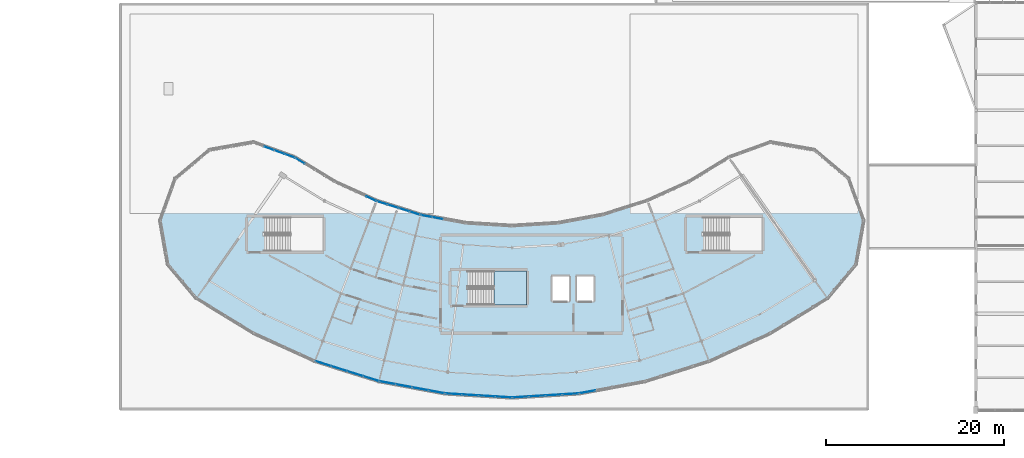
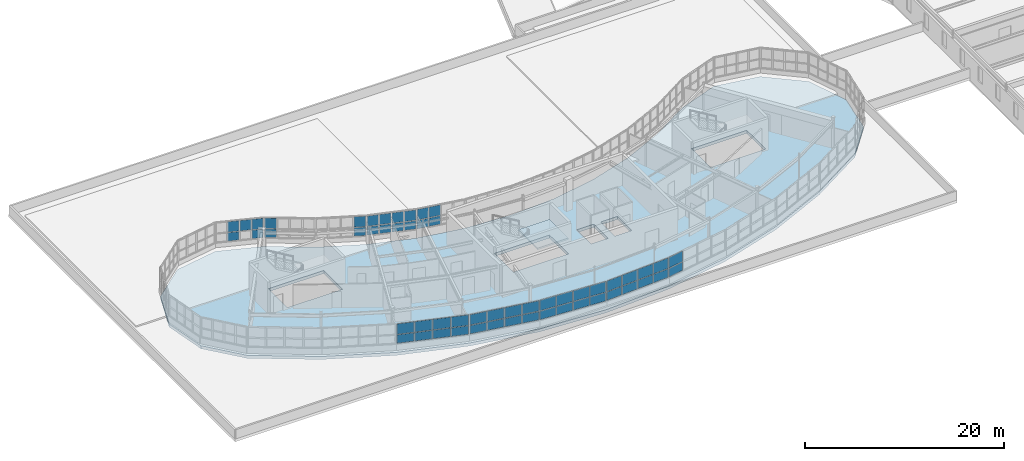
# One storey, part 68 of 128: 55 plates, 2 slabs, 11 elements without a shape of their own.
"""IFC4 building model written with IfcOpenShell, lengths in metres."""

from ifc_helpers import new_model, si_unit, direction, frame, origin, origin_2d, place, context, subcontext, project, spatial, polyline, rectangle, outline, extrude, material, layer, layer_set, type_object, element, aggregate, save


model = new_model("IFC4")

# Units and contexts
model_context = context("Model", 3, precision=1e-05, world=origin(), true_north=direction((0.0, 1.0)))
body_context = subcontext(model_context, "Body", "Model", "MODEL_VIEW")
ifc_project = project(units=[si_unit("LENGTHUNIT", "METRE"), si_unit("AREAUNIT", "SQUARE_METRE"), si_unit("VOLUMEUNIT", "CUBIC_METRE"), si_unit("PLANEANGLEUNIT", "RADIAN"), si_unit("MASSUNIT", "GRAM", prefix="KILO")], contexts=[model_context])

# Site, building, storey
site_placement = place(None, origin())
site = spatial("IfcSite", under=ifc_project, at=site_placement, CompositionType="ELEMENT")
building_placement = place(site_placement, origin())
building = spatial("IfcBuilding", under=site, at=building_placement, Name="Tarnwether General Hospital", CompositionType="ELEMENT")
storey_placement = place(building_placement, frame((0.0, 0.0, 14.39990234375)))
storey = spatial("IfcBuildingStorey", under=building, at=storey_placement, Name="L03", CompositionType="ELEMENT", Elevation=14.39990234375)

# Curtain wall, plates
ifc_material_1 = material(Name="Anodised aluminium", Category="aluminium")
ifc_layer_1 = layer(ifc_material_1, 0.179931640625)
ifc_layer_set_1 = layer_set([ifc_layer_1], Name="Anodised aluminium")
curtain_wall_type_1 = type_object("IfcCurtainWallType", Name="CW-08", PredefinedType="NOTDEFINED", material=ifc_layer_set_1)
curtain_wall_1_placement = place(storey_placement, origin())
curtain_wall_1 = element("IfcCurtainWall", 1, at=curtain_wall_1_placement, inside=storey, type_object=curtain_wall_type_1, Name="Curtain Wall CWG-L03-771_32-0156", PredefinedType="NOTDEFINED")
ifc_material_2 = material(Name="Double glazed low-E glass", Category="glass")
ifc_layer_2 = layer(ifc_material_2, 0.028076171875)
ifc_layer_set_2 = layer_set([ifc_layer_2], Name="Double glazed low-E glass")
plate_type_1 = type_object("IfcPlateType", Name="PT-CWP1", PredefinedType="CURTAIN_PANEL", material=ifc_layer_set_2)
plate_1_placement = place(storey_placement, frame((76.185791015625, 3.517578125, 1.115234375), z_axis=(0.0, 0.0, 1.0), x_axis=(-0.953741284032, 0.300628613299, 0.0)))
plate_1 = element("IfcPlate", 2, at=plate_1_placement, type_object=plate_type_1, Name="CW-08 panel 1.1", PredefinedType="CURTAIN_PANEL", context=body_context, shape_type="SweptSolid", body=[
    extrude(rectangle(XDim=1.78271484375, YDim=0.028076171875, at=origin_2d()), origin(), (0.0, 0.0, 1.0), 1.031982421875),
])
plate_2_placement = place(storey_placement, frame((76.185791015625, 3.517578125, 2.2119140625), z_axis=(0.0, 0.0, 1.0), x_axis=(-0.953741284032, 0.300628613299, 0.0)))
plate_2 = element("IfcPlate", 3, at=plate_2_placement, type_object=plate_type_1, Name="CW-08 panel 1.2", PredefinedType="CURTAIN_PANEL", context=body_context, shape_type="SweptSolid", body=[
    extrude(rectangle(XDim=1.78271484375, YDim=0.028076171875, at=origin_2d()), origin(), (0.0, 0.0, 1.0), 1.282958984375),
])
plate_3_placement = place(storey_placement, frame((74.408203125, 4.077880859375, 1.115234375), z_axis=(0.0, 0.0, 1.0), x_axis=(-0.953741284032, 0.300628613299, 0.0)))
plate_3 = element("IfcPlate", 4, at=plate_3_placement, type_object=plate_type_1, Name="CW-08 panel 2.1", PredefinedType="CURTAIN_PANEL", context=body_context, shape_type="SweptSolid", body=[
    extrude(rectangle(XDim=1.815185546875, YDim=0.028076171875, at=origin_2d()), origin(), (0.0, 0.0, 1.0), 1.031982421875),
])
plate_4_placement = place(storey_placement, frame((74.408203125, 4.077880859375, 2.2119140625), z_axis=(0.0, 0.0, 1.0), x_axis=(-0.953741284032, 0.300628613299, 0.0)))
plate_4 = element("IfcPlate", 5, at=plate_4_placement, type_object=plate_type_1, Name="CW-08 panel 2.2", PredefinedType="CURTAIN_PANEL", context=body_context, shape_type="SweptSolid", body=[
    extrude(rectangle(XDim=1.815185546875, YDim=0.028076171875, at=origin_2d()), origin(), (0.0, 0.0, 1.0), 1.282958984375),
])
plate_5_placement = place(storey_placement, frame((72.614990234375, 4.64306640625, 1.115234375), z_axis=(0.0, 0.0, 1.0), x_axis=(-0.953741284032, 0.300628613299, 0.0)))
plate_5 = element("IfcPlate", 6, at=plate_5_placement, type_object=plate_type_1, Name="CW-08 panel 3.1", PredefinedType="CURTAIN_PANEL", context=body_context, shape_type="SweptSolid", body=[
    extrude(rectangle(XDim=1.815185546875, YDim=0.028076171875, at=origin_2d()), origin(), (0.0, 0.0, 1.0), 1.031982421875),
])
plate_6_placement = place(storey_placement, frame((72.614990234375, 4.64306640625, 2.2119140625), z_axis=(0.0, 0.0, 1.0), x_axis=(-0.953741284032, 0.300628613299, 0.0)))
plate_6 = element("IfcPlate", 7, at=plate_6_placement, type_object=plate_type_1, Name="CW-08 panel 3.2", PredefinedType="CURTAIN_PANEL", context=body_context, shape_type="SweptSolid", body=[
    extrude(rectangle(XDim=1.815185546875, YDim=0.028076171875, at=origin_2d()), origin(), (0.0, 0.0, 1.0), 1.282958984375),
])
plate_7_placement = place(storey_placement, frame((70.837158203125, 5.203369140625, 1.115234375), z_axis=(0.0, 0.0, 1.0), x_axis=(-0.953741284032, 0.300628613299, 0.0)))
plate_7 = element("IfcPlate", 8, at=plate_7_placement, type_object=plate_type_1, Name="CW-08 panel 4.1", PredefinedType="CURTAIN_PANEL", context=body_context, shape_type="SweptSolid", body=[
    extrude(rectangle(XDim=1.78271484375, YDim=0.028076171875, at=origin_2d()), origin(), (0.0, 0.0, 1.0), 1.031982421875),
])
plate_8_placement = place(storey_placement, frame((70.837158203125, 5.203369140625, 2.2119140625), z_axis=(0.0, 0.0, 1.0), x_axis=(-0.953741284032, 0.300628613299, 0.0)))
plate_8 = element("IfcPlate", 9, at=plate_8_placement, type_object=plate_type_1, Name="CW-08 panel 4.2", PredefinedType="CURTAIN_PANEL", context=body_context, shape_type="SweptSolid", body=[
    extrude(rectangle(XDim=1.78271484375, YDim=0.028076171875, at=origin_2d()), origin(), (0.0, 0.0, 1.0), 1.282958984375),
])
aggregate(curtain_wall_1, [plate_1, plate_2, plate_3, plate_4, plate_5, plate_6, plate_7, plate_8])

curtain_wall_2_placement = place(storey_placement, origin())
curtain_wall_2 = element("IfcCurtainWall", 10, at=curtain_wall_2_placement, inside=storey, type_object=curtain_wall_type_1, Name="Curtain Wall CWG-L03-920_14-0158", PredefinedType="NOTDEFINED")
plate_9_placement = place(storey_placement, frame((91.046630859375, 1.458251953125, 1.110107421875), z_axis=(0.0, 0.0, 1.0), x_axis=(-0.998135995608, 0.061028962567, 0.0)))
plate_9 = element("IfcPlate", 11, at=plate_9_placement, type_object=plate_type_1, Name="CW-08 panel 1.1", PredefinedType="CURTAIN_PANEL", context=body_context, shape_type="SweptSolid", body=[
    extrude(rectangle(XDim=1.790283203125, YDim=0.028076171875, at=origin_2d()), origin(), (0.0, 0.0, 1.0), 1.03955078125),
])
plate_10_placement = place(storey_placement, frame((91.046630859375, 1.458251953125, 2.20947265625), z_axis=(0.0, 0.0, 1.0), x_axis=(-0.998135995608, 0.061028962567, 0.0)))
plate_10 = element("IfcPlate", 12, at=plate_10_placement, type_object=plate_type_1, Name="CW-08 panel 1.2", PredefinedType="CURTAIN_PANEL", context=body_context, shape_type="SweptSolid", body=[
    extrude(rectangle(XDim=1.790283203125, YDim=0.028076171875, at=origin_2d()), origin(), (0.0, 0.0, 1.0), 1.29052734375),
])
plate_11_placement = place(storey_placement, frame((89.184814453125, 1.572021484375, 1.110107421875), z_axis=(0.0, 0.0, 1.0), x_axis=(-0.998135995608, 0.061028962567, 0.0)))
plate_11 = element("IfcPlate", 13, at=plate_11_placement, type_object=plate_type_1, Name="CW-08 panel 2.1", PredefinedType="CURTAIN_PANEL", context=body_context, shape_type="SweptSolid", body=[
    extrude(rectangle(XDim=1.8203125, YDim=0.028076171875, at=origin_2d()), origin(), (0.0, 0.0, 1.0), 1.03955078125),
])
plate_12_placement = place(storey_placement, frame((89.184814453125, 1.572021484375, 2.20947265625), z_axis=(0.0, 0.0, 1.0), x_axis=(-0.998135995608, 0.061028962567, 0.0)))
plate_12 = element("IfcPlate", 14, at=plate_12_placement, type_object=plate_type_1, Name="CW-08 panel 2.2", PredefinedType="CURTAIN_PANEL", context=body_context, shape_type="SweptSolid", body=[
    extrude(rectangle(XDim=1.8203125, YDim=0.028076171875, at=origin_2d()), origin(), (0.0, 0.0, 1.0), 1.29052734375),
])
plate_13_placement = place(storey_placement, frame((87.30810546875, 1.686767578125, 1.110107421875), z_axis=(0.0, 0.0, 1.0), x_axis=(-0.998135995608, 0.061028962567, 0.0)))
plate_13 = element("IfcPlate", 15, at=plate_13_placement, type_object=plate_type_1, Name="CW-08 panel 3.1", PredefinedType="CURTAIN_PANEL", context=body_context, shape_type="SweptSolid", body=[
    extrude(rectangle(XDim=1.8203125, YDim=0.028076171875, at=origin_2d()), origin(), (0.0, 0.0, 1.0), 1.03955078125),
])
plate_14_placement = place(storey_placement, frame((87.30810546875, 1.686767578125, 2.20947265625), z_axis=(0.0, 0.0, 1.0), x_axis=(-0.998135995608, 0.061028962567, 0.0)))
plate_14 = element("IfcPlate", 16, at=plate_14_placement, type_object=plate_type_1, Name="CW-08 panel 3.2", PredefinedType="CURTAIN_PANEL", context=body_context, shape_type="SweptSolid", body=[
    extrude(rectangle(XDim=1.8203125, YDim=0.028076171875, at=origin_2d()), origin(), (0.0, 0.0, 1.0), 1.29052734375),
])
plate_15_placement = place(storey_placement, frame((85.4462890625, 1.80078125, 1.110107421875), z_axis=(0.0, 0.0, 1.0), x_axis=(-0.998135995608, 0.061028962567, 0.0)))
plate_15 = element("IfcPlate", 17, at=plate_15_placement, type_object=plate_type_1, Name="CW-08 panel 4.1", PredefinedType="CURTAIN_PANEL", context=body_context, shape_type="SweptSolid", body=[
    extrude(rectangle(XDim=1.790283203125, YDim=0.028076171875, at=origin_2d()), origin(), (0.0, 0.0, 1.0), 1.03955078125),
])
plate_16_placement = place(storey_placement, frame((85.4462890625, 1.80078125, 2.20947265625), z_axis=(0.0, 0.0, 1.0), x_axis=(-0.998135995608, 0.061028962567, 0.0)))
plate_16 = element("IfcPlate", 18, at=plate_16_placement, type_object=plate_type_1, Name="CW-08 panel 4.2", PredefinedType="CURTAIN_PANEL", context=body_context, shape_type="SweptSolid", body=[
    extrude(rectangle(XDim=1.790283203125, YDim=0.028076171875, at=origin_2d()), origin(), (0.0, 0.0, 1.0), 1.29052734375),
])
aggregate(curtain_wall_2, [plate_9, plate_10, plate_11, plate_12, plate_13, plate_14, plate_15, plate_16])

curtain_wall_3_placement = place(storey_placement, origin())
curtain_wall_3 = element("IfcCurtainWall", 19, at=curtain_wall_3_placement, inside=storey, type_object=curtain_wall_type_1, Name="Curtain Wall CWG-L03-995_19-0159", PredefinedType="NOTDEFINED")
plate_17_placement = place(storey_placement, frame((98.55126953125, 1.800537109375, 1.1201171875), z_axis=(0.0, 0.0, 1.0), x_axis=(-0.998135995608, -0.061028962567, 0.0)))
plate_17 = element("IfcPlate", 20, at=plate_17_placement, type_object=plate_type_1, Name="CW-08 panel 1.1", PredefinedType="CURTAIN_PANEL", context=body_context, shape_type="SweptSolid", body=[
    extrude(rectangle(XDim=1.775146484375, YDim=0.028076171875, at=origin_2d()), origin(), (0.0, 0.0, 1.0), 1.0244140625),
])
plate_18_placement = place(storey_placement, frame((98.55126953125, 1.800537109375, 2.214599609375), z_axis=(0.0, 0.0, 1.0), x_axis=(-0.998135995608, -0.061028962567, 0.0)))
plate_18 = element("IfcPlate", 21, at=plate_18_placement, type_object=plate_type_1, Name="CW-08 panel 1.2", PredefinedType="CURTAIN_PANEL", context=body_context, shape_type="SweptSolid", body=[
    extrude(rectangle(XDim=1.775146484375, YDim=0.028076171875, at=origin_2d()), origin(), (0.0, 0.0, 1.0), 1.275390625),
])
plate_19_placement = place(storey_placement, frame((96.69189453125, 1.686767578125, 1.1201171875), z_axis=(0.0, 0.0, 1.0), x_axis=(-0.998135995608, -0.061028962567, 0.0)))
plate_19 = element("IfcPlate", 22, at=plate_19_placement, type_object=plate_type_1, Name="CW-08 panel 2.1", PredefinedType="CURTAIN_PANEL", context=body_context, shape_type="SweptSolid", body=[
    extrude(rectangle(XDim=1.810302734375, YDim=0.028076171875, at=origin_2d()), origin(), (0.0, 0.0, 1.0), 1.0244140625),
])
plate_20_placement = place(storey_placement, frame((96.69189453125, 1.686767578125, 2.214599609375), z_axis=(0.0, 0.0, 1.0), x_axis=(-0.998135995608, -0.061028962567, 0.0)))
plate_20 = element("IfcPlate", 23, at=plate_20_placement, type_object=plate_type_1, Name="CW-08 panel 2.2", PredefinedType="CURTAIN_PANEL", context=body_context, shape_type="SweptSolid", body=[
    extrude(rectangle(XDim=1.810302734375, YDim=0.028076171875, at=origin_2d()), origin(), (0.0, 0.0, 1.0), 1.275390625),
])
plate_21_placement = place(storey_placement, frame((94.815185546875, 1.572021484375, 1.1201171875), z_axis=(0.0, 0.0, 1.0), x_axis=(-0.998135995608, -0.061028962567, 0.0)))
plate_21 = element("IfcPlate", 24, at=plate_21_placement, type_object=plate_type_1, Name="CW-08 panel 3.1", PredefinedType="CURTAIN_PANEL", context=body_context, shape_type="SweptSolid", body=[
    extrude(rectangle(XDim=1.810302734375, YDim=0.028076171875, at=origin_2d()), origin(), (0.0, 0.0, 1.0), 1.0244140625),
])
plate_22_placement = place(storey_placement, frame((94.815185546875, 1.572021484375, 2.214599609375), z_axis=(0.0, 0.0, 1.0), x_axis=(-0.998135995608, -0.061028962567, 0.0)))
plate_22 = element("IfcPlate", 25, at=plate_22_placement, type_object=plate_type_1, Name="CW-08 panel 3.2", PredefinedType="CURTAIN_PANEL", context=body_context, shape_type="SweptSolid", body=[
    extrude(rectangle(XDim=1.810302734375, YDim=0.028076171875, at=origin_2d()), origin(), (0.0, 0.0, 1.0), 1.275390625),
])
plate_23_placement = place(storey_placement, frame((92.955810546875, 1.45849609375, 1.1201171875), z_axis=(0.0, 0.0, 1.0), x_axis=(-0.998135995608, -0.061028962567, 0.0)))
plate_23 = element("IfcPlate", 26, at=plate_23_placement, type_object=plate_type_1, Name="CW-08 panel 4.1", PredefinedType="CURTAIN_PANEL", context=body_context, shape_type="SweptSolid", body=[
    extrude(rectangle(XDim=1.775146484375, YDim=0.028076171875, at=origin_2d()), origin(), (0.0, 0.0, 1.0), 1.0244140625),
])
plate_24_placement = place(storey_placement, frame((92.955810546875, 1.45849609375, 2.214599609375), z_axis=(0.0, 0.0, 1.0), x_axis=(-0.998135995608, -0.061028962567, 0.0)))
plate_24 = element("IfcPlate", 27, at=plate_24_placement, type_object=plate_type_1, Name="CW-08 panel 4.2", PredefinedType="CURTAIN_PANEL", context=body_context, shape_type="SweptSolid", body=[
    extrude(rectangle(XDim=1.775146484375, YDim=0.028076171875, at=origin_2d()), origin(), (0.0, 0.0, 1.0), 1.275390625),
])
aggregate(curtain_wall_3, [plate_17, plate_18, plate_19, plate_20, plate_21, plate_22, plate_23, plate_24])

ifc_material_3 = material(Name="Anodised aluminium", Category="aluminium")
ifc_layer_3 = layer(ifc_material_3, 0.159912109375)
ifc_layer_set_3 = layer_set([ifc_layer_3], Name="Anodised aluminium")
curtain_wall_type_2 = type_object("IfcCurtainWallType", Name="CW-04", PredefinedType="NOTDEFINED", material=ifc_layer_set_3)
curtain_wall_4_placement = place(storey_placement, origin())
curtain_wall_4 = element("IfcCurtainWall", 28, at=curtain_wall_4_placement, inside=storey, type_object=curtain_wall_type_2, Name="Curtain Wall CWG-L03-817_219-0176", PredefinedType="NOTDEFINED")
plate_25_placement = place(storey_placement, frame((82.395263671875, 21.73828125, 1.115234375), z_axis=(0.0, 0.0, 1.0), x_axis=(0.983267910924, -0.182165351666, 0.0)))
plate_25 = element("IfcPlate", 29, at=plate_25_placement, type_object=plate_type_1, Name="CW-04 panel 1.1", PredefinedType="CURTAIN_PANEL", context=body_context, shape_type="SweptSolid", body=[
    extrude(rectangle(XDim=1.196533203125, YDim=0.028076171875, at=origin_2d()), origin(), (0.0, 0.0, 1.0), 1.031982421875),
])
plate_26_placement = place(storey_placement, frame((82.395263671875, 21.73828125, 2.2119140625), z_axis=(0.0, 0.0, 1.0), x_axis=(0.983267910924, -0.182165351666, 0.0)))
plate_26 = element("IfcPlate", 30, at=plate_26_placement, type_object=plate_type_1, Name="CW-04 panel 1.2", PredefinedType="CURTAIN_PANEL", context=body_context, shape_type="SweptSolid", body=[
    extrude(rectangle(XDim=1.196533203125, YDim=0.028076171875, at=origin_2d()), origin(), (0.0, 0.0, 1.0), 1.282958984375),
])
plate_27_placement = place(storey_placement, frame((83.65185546875, 21.50537109375, 1.115234375), z_axis=(0.0, 0.0, 1.0), x_axis=(0.983267910924, -0.182165351666, 0.0)))
plate_27 = element("IfcPlate", 31, at=plate_27_placement, type_object=plate_type_1, Name="CW-04 panel 2.1", PredefinedType="CURTAIN_PANEL", context=body_context, shape_type="SweptSolid", body=[
    extrude(rectangle(XDim=1.229248046875, YDim=0.028076171875, at=origin_2d()), origin(), (0.0, 0.0, 1.0), 1.031982421875),
])
plate_28_placement = place(storey_placement, frame((83.65185546875, 21.50537109375, 2.2119140625), z_axis=(0.0, 0.0, 1.0), x_axis=(0.983267910924, -0.182165351666, 0.0)))
plate_28 = element("IfcPlate", 32, at=plate_28_placement, type_object=plate_type_1, Name="CW-04 panel 2.2", PredefinedType="CURTAIN_PANEL", context=body_context, shape_type="SweptSolid", body=[
    extrude(rectangle(XDim=1.229248046875, YDim=0.028076171875, at=origin_2d()), origin(), (0.0, 0.0, 1.0), 1.282958984375),
])
aggregate(curtain_wall_4, [plate_25, plate_26, plate_27, plate_28])

curtain_wall_5_placement = place(storey_placement, origin())
curtain_wall_5 = element("IfcCurtainWall", 33, at=curtain_wall_5_placement, inside=storey, type_object=curtain_wall_type_2, Name="Curtain Wall CWG-L03-768_234-0177", PredefinedType="NOTDEFINED")
plate_29_placement = place(storey_placement, frame((77.44140625, 23.21533203125, 1.1298828125), z_axis=(0.0, 0.0, 1.0), x_axis=(0.953713927508, -0.30071538783, 0.0)))
plate_29 = element("IfcPlate", 34, at=plate_29_placement, type_object=plate_type_1, Name="CW-04 panel 1.1", PredefinedType="CURTAIN_PANEL", context=body_context, shape_type="SweptSolid", body=[
    extrude(rectangle(XDim=1.17431640625, YDim=0.028076171875, at=origin_2d()), origin(), (0.0, 0.0, 1.0), 1.009521484375),
])
plate_30_placement = place(storey_placement, frame((77.44140625, 23.21533203125, 2.2197265625), z_axis=(0.0, 0.0, 1.0), x_axis=(0.953713927508, -0.30071538783, 0.0)))
plate_30 = element("IfcPlate", 35, at=plate_30_placement, type_object=plate_type_1, Name="CW-04 panel 1.2", PredefinedType="CURTAIN_PANEL", context=body_context, shape_type="SweptSolid", body=[
    extrude(rectangle(XDim=1.17431640625, YDim=0.028076171875, at=origin_2d()), origin(), (0.0, 0.0, 1.0), 1.260498046875),
])
plate_31_placement = place(storey_placement, frame((78.65673828125, 22.83203125, 1.1298828125), z_axis=(0.0, 0.0, 1.0), x_axis=(0.953713927508, -0.30071538783, 0.0)))
plate_31 = element("IfcPlate", 36, at=plate_31_placement, type_object=plate_type_1, Name="CW-04 panel 2.1", PredefinedType="CURTAIN_PANEL", context=body_context, shape_type="SweptSolid", body=[
    extrude(rectangle(XDim=1.21435546875, YDim=0.028076171875, at=origin_2d()), origin(), (0.0, 0.0, 1.0), 1.009521484375),
])
plate_32_placement = place(storey_placement, frame((78.65673828125, 22.83203125, 2.2197265625), z_axis=(0.0, 0.0, 1.0), x_axis=(0.953713927508, -0.30071538783, 0.0)))
plate_32 = element("IfcPlate", 37, at=plate_32_placement, type_object=plate_type_1, Name="CW-04 panel 2.2", PredefinedType="CURTAIN_PANEL", context=body_context, shape_type="SweptSolid", body=[
    extrude(rectangle(XDim=1.21435546875, YDim=0.028076171875, at=origin_2d()), origin(), (0.0, 0.0, 1.0), 1.260498046875),
])
plate_33_placement = place(storey_placement, frame((79.891357421875, 22.44287109375, 1.1298828125), z_axis=(0.0, 0.0, 1.0), x_axis=(0.953713927508, -0.30071538783, 0.0)))
plate_33 = element("IfcPlate", 38, at=plate_33_placement, type_object=plate_type_1, Name="CW-04 panel 3.1", PredefinedType="CURTAIN_PANEL", context=body_context, shape_type="SweptSolid", body=[
    extrude(rectangle(XDim=1.21435546875, YDim=0.028076171875, at=origin_2d()), origin(), (0.0, 0.0, 1.0), 1.009521484375),
])
plate_34_placement = place(storey_placement, frame((79.891357421875, 22.44287109375, 2.2197265625), z_axis=(0.0, 0.0, 1.0), x_axis=(0.953713927508, -0.30071538783, 0.0)))
plate_34 = element("IfcPlate", 39, at=plate_34_placement, type_object=plate_type_1, Name="CW-04 panel 3.2", PredefinedType="CURTAIN_PANEL", context=body_context, shape_type="SweptSolid", body=[
    extrude(rectangle(XDim=1.21435546875, YDim=0.028076171875, at=origin_2d()), origin(), (0.0, 0.0, 1.0), 1.260498046875),
])
plate_35_placement = place(storey_placement, frame((81.106689453125, 22.0595703125, 1.1298828125), z_axis=(0.0, 0.0, 1.0), x_axis=(0.953713927508, -0.30071538783, 0.0)))
plate_35 = element("IfcPlate", 40, at=plate_35_placement, type_object=plate_type_1, Name="CW-04 panel 4.1", PredefinedType="CURTAIN_PANEL", context=body_context, shape_type="SweptSolid", body=[
    extrude(rectangle(XDim=1.17431640625, YDim=0.028076171875, at=origin_2d()), origin(), (0.0, 0.0, 1.0), 1.009521484375),
])
plate_36_placement = place(storey_placement, frame((81.106689453125, 22.0595703125, 2.2197265625), z_axis=(0.0, 0.0, 1.0), x_axis=(0.953713927508, -0.30071538783, 0.0)))
plate_36 = element("IfcPlate", 41, at=plate_36_placement, type_object=plate_type_1, Name="CW-04 panel 4.2", PredefinedType="CURTAIN_PANEL", context=body_context, shape_type="SweptSolid", body=[
    extrude(rectangle(XDim=1.17431640625, YDim=0.028076171875, at=origin_2d()), origin(), (0.0, 0.0, 1.0), 1.260498046875),
])
aggregate(curtain_wall_5, [plate_29, plate_30, plate_31, plate_32, plate_33, plate_34, plate_35, plate_36])

curtain_wall_6_placement = place(storey_placement, origin())
curtain_wall_6 = element("IfcCurtainWall", 42, at=curtain_wall_6_placement, inside=storey, type_object=curtain_wall_type_2, Name="Curtain Wall CWG-L03-677_283-0179", PredefinedType="NOTDEFINED")
plate_37_placement = place(storey_placement, frame((68.24658203125, 27.920654296875, 1.1201171875), z_axis=(0.0, 0.0, 1.0), x_axis=(0.852631789198, -0.522512231483, 0.0)))
plate_37 = element("IfcPlate", 43, at=plate_37_placement, type_object=plate_type_1, Name="CW-04 panel 1.1", PredefinedType="CURTAIN_PANEL", context=body_context, shape_type="SweptSolid", body=[
    extrude(rectangle(XDim=1.189208984375, YDim=0.028076171875, at=origin_2d()), origin(), (0.0, 0.0, 1.0), 1.0244140625),
])
plate_38_placement = place(storey_placement, frame((68.24658203125, 27.920654296875, 2.214599609375), z_axis=(0.0, 0.0, 1.0), x_axis=(0.852631789198, -0.522512231483, 0.0)))
plate_38 = element("IfcPlate", 44, at=plate_38_placement, type_object=plate_type_1, Name="CW-04 panel 1.2", PredefinedType="CURTAIN_PANEL", context=body_context, shape_type="SweptSolid", body=[
    extrude(rectangle(XDim=1.189208984375, YDim=0.028076171875, at=origin_2d()), origin(), (0.0, 0.0, 1.0), 1.275390625),
])
aggregate(curtain_wall_6, [plate_37, plate_38])

curtain_wall_7_placement = place(storey_placement, origin())
curtain_wall_7 = element("IfcCurtainWall", 45, at=curtain_wall_7_placement, inside=storey, type_object=curtain_wall_type_2, Name="Curtain Wall CWG-L03-630_300-0180", PredefinedType="NOTDEFINED")
plate_39_placement = place(storey_placement, frame((64.761962890625, 29.33056640625, 1.115234375), z_axis=(0.0, 0.0, 1.0), x_axis=(0.939652319163, -0.342130850834, 0.0)))
plate_39 = element("IfcPlate", 46, at=plate_39_placement, type_object=plate_type_1, Name="CW-04 panel 2.1", PredefinedType="CURTAIN_PANEL", context=body_context, shape_type="SweptSolid", body=[
    extrude(rectangle(XDim=1.17724609375, YDim=0.028076171875, at=origin_2d()), origin(), (0.0, 0.0, 1.0), 1.031982421875),
])
plate_40_placement = place(storey_placement, frame((64.761962890625, 29.33056640625, 2.2119140625), z_axis=(0.0, 0.0, 1.0), x_axis=(0.939652319163, -0.342130850834, 0.0)))
plate_40 = element("IfcPlate", 47, at=plate_40_placement, type_object=plate_type_1, Name="CW-04 panel 2.2", PredefinedType="CURTAIN_PANEL", context=body_context, shape_type="SweptSolid", body=[
    extrude(rectangle(XDim=1.17724609375, YDim=0.028076171875, at=origin_2d()), origin(), (0.0, 0.0, 1.0), 1.282958984375),
])
plate_41_placement = place(storey_placement, frame((65.92919921875, 28.905517578125, 2.2119140625), z_axis=(0.0, 0.0, 1.0), x_axis=(0.939652319163, -0.342130850834, 0.0)))
plate_41 = element("IfcPlate", 48, at=plate_41_placement, type_object=plate_type_1, Name="CW-04 panel 3.2", PredefinedType="CURTAIN_PANEL", context=body_context, shape_type="SweptSolid", body=[
    extrude(rectangle(XDim=1.17724609375, YDim=0.028076171875, at=origin_2d()), origin(), (0.0, 0.0, 1.0), 1.282958984375),
])
plate_42_placement = place(storey_placement, frame((67.0810546875, 28.486083984375, 1.115234375), z_axis=(0.0, 0.0, 1.0), x_axis=(0.939652319163, -0.342130850834, 0.0)))
plate_42 = element("IfcPlate", 49, at=plate_42_placement, type_object=plate_type_1, Name="CW-04 panel 4.1", PredefinedType="CURTAIN_PANEL", context=body_context, shape_type="SweptSolid", body=[
    extrude(rectangle(XDim=1.144775390625, YDim=0.028076171875, at=origin_2d()), origin(), (0.0, 0.0, 1.0), 1.031982421875),
])
plate_43_placement = place(storey_placement, frame((67.0810546875, 28.486083984375, 2.2119140625), z_axis=(0.0, 0.0, 1.0), x_axis=(0.939652319163, -0.342130850834, 0.0)))
plate_43 = element("IfcPlate", 50, at=plate_43_placement, type_object=plate_type_1, Name="CW-04 panel 4.2", PredefinedType="CURTAIN_PANEL", context=body_context, shape_type="SweptSolid", body=[
    extrude(rectangle(XDim=1.144775390625, YDim=0.028076171875, at=origin_2d()), origin(), (0.0, 0.0, 1.0), 1.282958984375),
])
aggregate(curtain_wall_7, [plate_39, plate_40, plate_41, plate_42, plate_43])

curtain_wall_8_placement = place(storey_placement, origin())
curtain_wall_8 = element("IfcCurtainWall", 51, at=curtain_wall_8_placement, inside=storey, type_object=curtain_wall_type_1, Name="Curtain Wall CWG-L03-845_19-0157", PredefinedType="NOTDEFINED")
ifc_material_4 = material(Name="Double glazed low-E glass", Category="glass")
ifc_layer_4 = layer(ifc_material_4, 0.035888671875)
ifc_layer_set_4 = layer_set([ifc_layer_4], Name="Double glazed low-E glass")
plate_type_2 = type_object("IfcPlateType", Name="PT-CWP2", PredefinedType="CURTAIN_PANEL", material=ifc_layer_set_4)
plate_44_placement = place(storey_placement, frame((83.549072265625, 2.033935546875, 1.1298828125), z_axis=(0.0, 0.0, 1.0), x_axis=(-0.983244953132, 0.182289226614, 0.0)))
plate_44 = element("IfcPlate", 52, at=plate_44_placement, type_object=plate_type_2, Name="CW-08 panel 1.1", PredefinedType="CURTAIN_PANEL", context=body_context, shape_type="SweptSolid", body=[
    extrude(rectangle(XDim=1.76025390625, YDim=0.035888671875, at=origin_2d()), origin(), (0.0, 0.0, 1.0), 1.009521484375),
])
plate_45_placement = place(storey_placement, frame((83.549072265625, 2.033935546875, 2.2197265625), z_axis=(0.0, 0.0, 1.0), x_axis=(-0.983244953132, 0.182289226614, 0.0)))
plate_45 = element("IfcPlate", 53, at=plate_45_placement, type_object=plate_type_2, Name="CW-08 panel 1.2", PredefinedType="CURTAIN_PANEL", context=body_context, shape_type="SweptSolid", body=[
    extrude(rectangle(XDim=1.76025390625, YDim=0.035888671875, at=origin_2d()), origin(), (0.0, 0.0, 1.0), 1.260498046875),
])
plate_46_placement = place(storey_placement, frame((81.719970703125, 2.373046875, 1.1298828125), z_axis=(0.0, 0.0, 1.0), x_axis=(-0.983244953132, 0.182289226614, 0.0)))
plate_46 = element("IfcPlate", 54, at=plate_46_placement, type_object=plate_type_2, Name="CW-08 panel 2.1", PredefinedType="CURTAIN_PANEL", context=body_context, shape_type="SweptSolid", body=[
    extrude(rectangle(XDim=1.80029296875, YDim=0.035888671875, at=origin_2d()), origin(), (0.0, 0.0, 1.0), 1.009521484375),
])
plate_47_placement = place(storey_placement, frame((81.719970703125, 2.373046875, 2.2197265625), z_axis=(0.0, 0.0, 1.0), x_axis=(-0.983244953132, 0.182289226614, 0.0)))
plate_47 = element("IfcPlate", 55, at=plate_47_placement, type_object=plate_type_2, Name="CW-08 panel 2.2", PredefinedType="CURTAIN_PANEL", context=body_context, shape_type="SweptSolid", body=[
    extrude(rectangle(XDim=1.80029296875, YDim=0.035888671875, at=origin_2d()), origin(), (0.0, 0.0, 1.0), 1.260498046875),
])
plate_48_placement = place(storey_placement, frame((79.87109375, 2.7158203125, 1.1298828125), z_axis=(0.0, 0.0, 1.0), x_axis=(-0.983244953132, 0.182289226614, 0.0)))
plate_48 = element("IfcPlate", 56, at=plate_48_placement, type_object=plate_type_2, Name="CW-08 panel 3.1", PredefinedType="CURTAIN_PANEL", context=body_context, shape_type="SweptSolid", body=[
    extrude(rectangle(XDim=1.80029296875, YDim=0.035888671875, at=origin_2d()), origin(), (0.0, 0.0, 1.0), 1.009521484375),
])
plate_49_placement = place(storey_placement, frame((79.87109375, 2.7158203125, 2.2197265625), z_axis=(0.0, 0.0, 1.0), x_axis=(-0.983244953132, 0.182289226614, 0.0)))
plate_49 = element("IfcPlate", 57, at=plate_49_placement, type_object=plate_type_2, Name="CW-08 panel 3.2", PredefinedType="CURTAIN_PANEL", context=body_context, shape_type="SweptSolid", body=[
    extrude(rectangle(XDim=1.80029296875, YDim=0.035888671875, at=origin_2d()), origin(), (0.0, 0.0, 1.0), 1.260498046875),
])
plate_50_placement = place(storey_placement, frame((78.0419921875, 3.054931640625, 1.1298828125), z_axis=(0.0, 0.0, 1.0), x_axis=(-0.983244953132, 0.182289226614, 0.0)))
plate_50 = element("IfcPlate", 58, at=plate_50_placement, type_object=plate_type_2, Name="CW-08 panel 4.1", PredefinedType="CURTAIN_PANEL", context=body_context, shape_type="SweptSolid", body=[
    extrude(rectangle(XDim=1.76025390625, YDim=0.035888671875, at=origin_2d()), origin(), (0.0, 0.0, 1.0), 1.009521484375),
])
plate_51_placement = place(storey_placement, frame((78.0419921875, 3.054931640625, 2.2197265625), z_axis=(0.0, 0.0, 1.0), x_axis=(-0.983244953132, 0.182289226614, 0.0)))
plate_51 = element("IfcPlate", 59, at=plate_51_placement, type_object=plate_type_2, Name="CW-08 panel 4.2", PredefinedType="CURTAIN_PANEL", context=body_context, shape_type="SweptSolid", body=[
    extrude(rectangle(XDim=1.76025390625, YDim=0.035888671875, at=origin_2d()), origin(), (0.0, 0.0, 1.0), 1.260498046875),
])
aggregate(curtain_wall_8, [plate_44, plate_45, plate_46, plate_47, plate_48, plate_49, plate_50, plate_51])

curtain_wall_9_placement = place(storey_placement, origin())
curtain_wall_9 = element("IfcCurtainWall", 60, at=curtain_wall_9_placement, inside=storey, type_object=curtain_wall_type_1, Name="Curtain Wall CWG-L03-1069_32-0160", PredefinedType="NOTDEFINED")
plate_52_placement = place(storey_placement, frame((100.447265625, 2.033447265625, 1.115234375), z_axis=(0.0, 0.0, 1.0), x_axis=(-0.983244953132, -0.182289226614, 0.0)))
plate_52 = element("IfcPlate", 61, at=plate_52_placement, type_object=plate_type_2, Name="CW-08 panel 4.1", PredefinedType="CURTAIN_PANEL", context=body_context, shape_type="SweptSolid", body=[
    extrude(rectangle(XDim=1.78271484375, YDim=0.035888671875, at=origin_2d()), origin(), (0.0, 0.0, 1.0), 1.031982421875),
])
plate_53_placement = place(storey_placement, frame((100.447265625, 2.033447265625, 2.2119140625), z_axis=(0.0, 0.0, 1.0), x_axis=(-0.983244953132, -0.182289226614, 0.0)))
plate_53 = element("IfcPlate", 62, at=plate_53_placement, type_object=plate_type_2, Name="CW-08 panel 4.2", PredefinedType="CURTAIN_PANEL", context=body_context, shape_type="SweptSolid", body=[
    extrude(rectangle(XDim=1.78271484375, YDim=0.035888671875, at=origin_2d()), origin(), (0.0, 0.0, 1.0), 1.282958984375),
])
aggregate(curtain_wall_9, [plate_52, plate_53])

curtain_wall_10_placement = place(storey_placement, origin())
curtain_wall_10 = element("IfcCurtainWall", 63, at=curtain_wall_10_placement, inside=storey, type_object=curtain_wall_type_2, Name="Curtain Wall CWG-L03-721_256-0178", PredefinedType="NOTDEFINED")
plate_54_placement = place(storey_placement, frame((76.202392578125, 23.690673828125, 1.110107421875), z_axis=(0.0, 0.0, 1.0), x_axis=(0.90995590549, -0.41470501572, 0.0)))
plate_54 = element("IfcPlate", 64, at=plate_54_placement, type_object=plate_type_2, Name="CW-04 panel 4.1", PredefinedType="CURTAIN_PANEL", context=body_context, shape_type="SweptSolid", body=[
    extrude(rectangle(XDim=1.204345703125, YDim=0.035888671875, at=origin_2d()), origin(), (0.0, 0.0, 1.0), 1.03955078125),
])
plate_55_placement = place(storey_placement, frame((76.202392578125, 23.690673828125, 2.20947265625), z_axis=(0.0, 0.0, 1.0), x_axis=(0.90995590549, -0.41470501572, 0.0)))
plate_55 = element("IfcPlate", 65, at=plate_55_placement, type_object=plate_type_2, Name="CW-04 panel 4.2", PredefinedType="CURTAIN_PANEL", context=body_context, shape_type="SweptSolid", body=[
    extrude(rectangle(XDim=1.204345703125, YDim=0.035888671875, at=origin_2d()), origin(), (0.0, 0.0, 1.0), 1.29052734375),
])
aggregate(curtain_wall_10, [plate_54, plate_55])

# Slab
ifc_material_5 = material(Name="Concrete 40 MPa", Category="concrete")
ifc_layer_5 = layer(ifc_material_5, 0.3701171875)
ifc_layer_set_5 = layer_set([ifc_layer_5], Name="Concrete 40 MPa")
slab_type_1 = type_object("IfcSlabType", Name="SL-FL260", PredefinedType="FLOOR", material=ifc_layer_set_5)
slab_1_placement = place(storey_placement, frame((0.0, 0.0, -0.369873046875)))
element("IfcSlab", 66, at=slab_1_placement, inside=storey, type_object=slab_type_1, Name="L03 South-East Curved Ward Transfer Floor SL-L03-WSE", PredefinedType="FLOOR", context=body_context, shape_type="SweptSolid", body=[
    extrude(outline(polyline([(53.472900390625, 16.346923828125), (52.611083984375, 21.240966796875), (54.31005859375, 25.909912109375), (58.116943359375, 29.10498046875), (63.010986328125, 29.968017578125), (67.679931640625, 28.26806640625), (72.093994140625, 25.56298828125), (76.804931640625, 23.416015625), (81.742919921875, 21.85888671875), (86.8330078125, 20.916015625), (92.0, 20.60009765625), (97.1669921875, 20.916015625), (102.257080078125, 21.85888671875), (107.195068359375, 23.416015625), (111.906005859375, 25.56298828125), (116.320068359375, 28.26806640625), (120.989013671875, 29.968017578125), (125.883056640625, 29.10498046875), (129.68994140625, 25.909912109375), (131.388916015625, 21.240966796875), (130.527099609375, 16.346923828125), (127.33203125, 12.5400390625), (120.9189453125, 8.610107421875), (114.074951171875, 5.490966796875), (106.902099609375, 3.22998046875), (99.507080078125, 1.85888671875), (92.0, 1.39990234375), (84.492919921875, 1.85888671875), (77.097900390625, 3.22998046875), (69.925048828125, 5.490966796875), (63.0810546875, 8.610107421875), (56.66796875, 12.5400390625), (53.472900390625, 16.346923828125)]), holes=[polyline([(96.469970703125, 15.030029296875), (96.469970703125, 12.169921875), (98.429931640625, 12.169921875), (98.429931640625, 15.030029296875), (96.469970703125, 15.030029296875)]), polyline([(93.60009765625, 15.60009765625), (87.179931640625, 15.60009765625), (87.179931640625, 11.800048828125), (93.60009765625, 11.800048828125), (93.60009765625, 15.60009765625)]), polyline([(70.800048828125, 21.60009765625), (64.3798828125, 21.60009765625), (64.3798828125, 17.800048828125), (70.800048828125, 17.800048828125), (70.800048828125, 21.60009765625)]), polyline([(99.219970703125, 15.030029296875), (99.219970703125, 12.169921875), (101.179931640625, 12.169921875), (101.179931640625, 15.030029296875), (99.219970703125, 15.030029296875)]), polyline([(120.0, 21.60009765625), (113.580078125, 21.60009765625), (113.580078125, 17.800048828125), (120.0, 17.800048828125), (120.0, 21.60009765625)])]), origin(), (0.0, 0.0, 1.0), 0.369873046875),
])

# Stair, slab
ifc_material_6 = material(Name="Concrete 40 MPa", Category="concrete")
stair_type = type_object("IfcStairType", Name="ST-DL39B", PredefinedType="HALF_TURN_STAIR", material=ifc_material_6)
stair_placement = place(storey_placement, origin())
stair = element("IfcStair", 67, at=stair_placement, inside=storey, type_object=stair_type, Name="L03 Exit Stair ST-02", PredefinedType="HALF_TURN_STAIR")
ifc_material_7 = material(Name="Concrete 40 MPa", Category="concrete")
ifc_layer_6 = layer(ifc_material_7, 0.199951171875)
ifc_layer_set_6 = layer_set([ifc_layer_6], Name="Concrete 40 MPa")
slab_type_2 = type_object("IfcSlabType", Name="SL-LD200", PredefinedType="LANDING", material=ifc_layer_set_6)
slab_2_placement = place(storey_placement, frame((0.0, 0.0, 1.75)))
slab_2 = element("IfcSlab", 68, at=slab_2_placement, type_object=slab_type_2, Name="ST-02 landing 1", PredefinedType="LANDING", context=body_context, shape_type="SweptSolid", body=[
    extrude(outline(polyline([(90.0, 11.800048828125), (93.60009765625, 11.800048828125), (93.60009765625, 15.60009765625), (90.0, 15.60009765625), (90.0, 11.800048828125)])), origin(), (0.0, 0.0, 1.0), 0.2001953125),
])
aggregate(stair, [slab_2])

save(model, "model.ifc")
